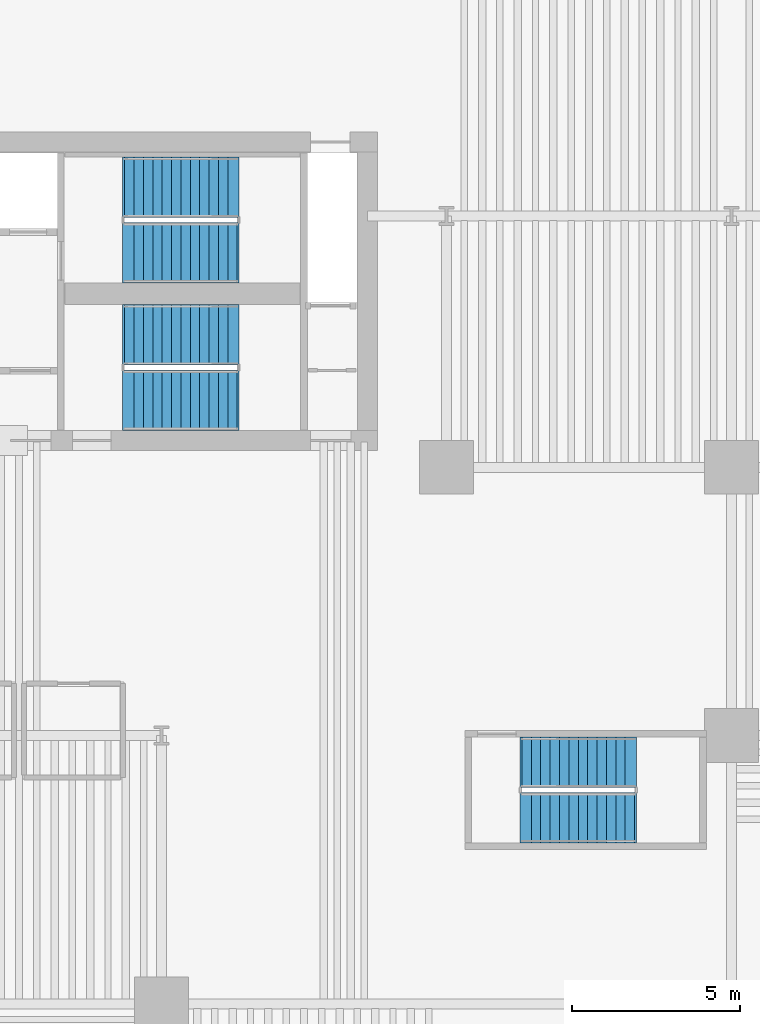
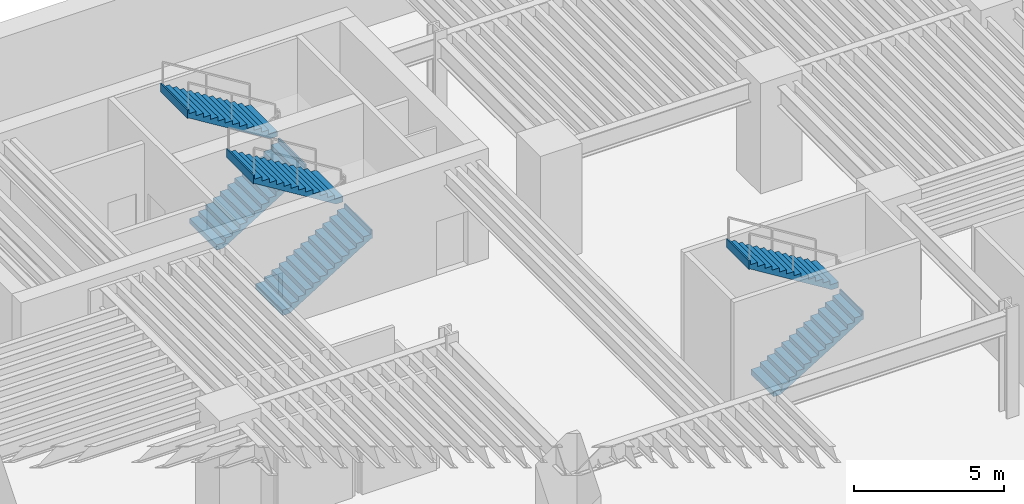
# One storey, part 5 of 9: 6 stair flights, 3 elements without a shape of their own.
"""IFC4 building model written with IfcOpenShell, lengths in metres."""

from ifc_helpers import new_model, si_unit, direction, frame, origin, place, context, subcontext, project, spatial, polyline, outline, extrude, material, type_object, element, aggregate, save


model = new_model("IFC4")

# Units and contexts
model_context = context("Model", 3, precision=1e-05, world=origin(), true_north=direction((0.0, 1.0)))
body_context = subcontext(model_context, "Body", "Model", "MODEL_VIEW")
ifc_project = project(units=[si_unit("LENGTHUNIT", "METRE"), si_unit("AREAUNIT", "SQUARE_METRE"), si_unit("VOLUMEUNIT", "CUBIC_METRE"), si_unit("PLANEANGLEUNIT", "RADIAN"), si_unit("MASSUNIT", "GRAM", prefix="KILO")], contexts=[model_context])

# Site, building, storey
site_placement = place(None, origin())
site = spatial("IfcSite", under=ifc_project, at=site_placement, CompositionType="ELEMENT")
building_placement = place(site_placement, origin())
building = spatial("IfcBuilding", under=site, at=building_placement, Name="Caeloran Harvest Quay", CompositionType="ELEMENT")
storey_placement = place(building_placement, frame((0.0, 0.0, -9.0)))
storey = spatial("IfcBuildingStorey", under=building, at=storey_placement, Name="B02", CompositionType="ELEMENT", Elevation=-9.0)

# Stair, stair flights
ifc_material = material(Name="Concrete C50/60", Category="concrete")
stair_type_1 = type_object("IfcStairType", Name="STAIR-STC-180", PredefinedType="HALF_TURN_STAIR", material=ifc_material)
stair_1_placement = place(storey_placement, origin())
stair_1 = element("IfcStair", 1, at=stair_1_placement, inside=storey, type_object=stair_type_1, Name="B02 Core Pressurized Exit Stair ST-C1", PredefinedType="HALF_TURN_STAIR")
stair_flight_type_1 = type_object("IfcStairFlightType", Name="FLIGHT-STC-180", PredefinedType="STRAIGHT", material=ifc_material)
stair_flight_1_placement = place(storey_placement, frame((15.89990234375, 37.39990234375, 0.0), z_axis=(0.0, 0.0, 1.0), x_axis=(1.0, 0.0, 0.0)))
stair_flight_1 = element("IfcStairFlight", 2, at=stair_flight_1_placement, type_object=stair_flight_type_1, Name="ST-C1 flight 1", NumberOfRisers=13, NumberOfTreads=12, PredefinedType="STRAIGHT", RiserHeight=0.173076923, TreadLength=0.28, context=body_context, shape_type="SweptSolid", body=[
    extrude(outline(polyline([(-0.054931640625, -0.044921875), (-0.054931640625, -0.03125), (-0.054931640625, -0.017822265625), (-0.054931640625, -0.004150390625), (-0.054931640625, 0.009521484375), (-0.054931640625, 0.023193359375), (-0.054931640625, 0.036865234375), (-0.054931640625, 0.05029296875), (-0.054931640625, 0.06396484375), (-0.054931640625, 0.07763671875), (-0.054931640625, 0.09130859375), (-0.054931640625, 0.10498046875), (-0.054931640625, 0.11865234375), (-0.054931640625, 0.132080078125), (-0.054931640625, 0.145751953125), (-0.054931640625, 0.159423828125), (-0.054931640625, 0.173095703125), (0.280029296875, 0.173095703125), (0.280029296875, 0.34619140625), (0.56005859375, 0.34619140625), (0.56005859375, 0.519287109375), (0.840087890625, 0.519287109375), (0.840087890625, 0.6923828125), (1.1201171875, 0.6923828125), (1.1201171875, 0.865478515625), (1.39990234375, 0.865478515625), (1.39990234375, 1.03857421875), (1.679931640625, 1.03857421875), (1.679931640625, 1.21142578125), (1.9599609375, 1.21142578125), (1.9599609375, 1.384521484375), (2.239990234375, 1.384521484375), (2.239990234375, 1.5576171875), (2.52001953125, 1.5576171875), (2.52001953125, 1.730712890625), (2.800048828125, 1.730712890625), (2.800048828125, 1.90380859375), (3.080078125, 1.90380859375), (3.080078125, 2.076904296875), (3.360107421875, 2.076904296875), (3.360107421875, 2.25), (3.4150390625, 2.25), (3.4150390625, 2.228271484375), (3.4150390625, 2.206298828125), (3.4150390625, 2.1845703125), (3.4150390625, 2.16259765625), (3.4150390625, 2.140869140625), (3.4150390625, 2.118896484375), (3.4150390625, 2.09716796875), (3.4150390625, 2.075439453125), (3.4150390625, 2.053466796875), (3.4150390625, 2.03173828125), (3.4150390625, 2.009765625), (3.4150390625, 1.988037109375), (3.4150390625, 1.96630859375), (3.4150390625, 1.9443359375), (3.4150390625, 1.922607421875), (3.4150390625, 1.900634765625), (3.360107421875, 1.900634765625), (0.21240234375, -0.044921875), (-0.054931640625, -0.044921875)])), frame((0.0, 0.89990234375, 0.0), z_axis=(0.0, -1.0, 0.0), x_axis=(1.0, 0.0, 0.0)), (0.0, 0.0, 1.0), 1.800048828125),
])
stair_flight_2_placement = place(storey_placement, frame((19.260009765625, 39.35009765625, 2.25), z_axis=(0.0, 0.0, 1.0), x_axis=(-1.0, 0.0, 0.0)))
stair_flight_2 = element("IfcStairFlight", 3, at=stair_flight_2_placement, type_object=stair_flight_type_1, Name="ST-C1 flight 2", NumberOfRisers=13, NumberOfTreads=12, PredefinedType="STRAIGHT", RiserHeight=0.173076923, TreadLength=0.28, context=body_context, shape_type="SweptSolid", body=[
    extrude(outline(polyline([(-0.054931640625, -0.044921875), (-0.054931640625, -0.03125), (-0.054931640625, -0.017822265625), (-0.054931640625, -0.004150390625), (-0.054931640625, 0.009521484375), (-0.054931640625, 0.023193359375), (-0.054931640625, 0.036865234375), (-0.054931640625, 0.05029296875), (-0.054931640625, 0.06396484375), (-0.054931640625, 0.07763671875), (-0.054931640625, 0.09130859375), (-0.054931640625, 0.10498046875), (-0.054931640625, 0.11865234375), (-0.054931640625, 0.132080078125), (-0.054931640625, 0.145751953125), (-0.054931640625, 0.159423828125), (-0.054931640625, 0.173095703125), (0.280029296875, 0.173095703125), (0.280029296875, 0.34619140625), (0.56005859375, 0.34619140625), (0.56005859375, 0.519287109375), (0.840087890625, 0.519287109375), (0.840087890625, 0.6923828125), (1.1201171875, 0.6923828125), (1.1201171875, 0.865478515625), (1.39990234375, 0.865478515625), (1.39990234375, 1.03857421875), (1.679931640625, 1.03857421875), (1.679931640625, 1.21142578125), (1.9599609375, 1.21142578125), (1.9599609375, 1.384521484375), (2.239990234375, 1.384521484375), (2.239990234375, 1.5576171875), (2.52001953125, 1.5576171875), (2.52001953125, 1.730712890625), (2.800048828125, 1.730712890625), (2.800048828125, 1.90380859375), (3.080078125, 1.90380859375), (3.080078125, 2.076904296875), (3.360107421875, 2.076904296875), (3.360107421875, 2.25), (3.4150390625, 2.25), (3.4150390625, 2.228271484375), (3.4150390625, 2.206298828125), (3.4150390625, 2.1845703125), (3.4150390625, 2.16259765625), (3.4150390625, 2.140869140625), (3.4150390625, 2.118896484375), (3.4150390625, 2.09716796875), (3.4150390625, 2.075439453125), (3.4150390625, 2.053466796875), (3.4150390625, 2.03173828125), (3.4150390625, 2.009765625), (3.4150390625, 1.988037109375), (3.4150390625, 1.96630859375), (3.4150390625, 1.9443359375), (3.4150390625, 1.922607421875), (3.4150390625, 1.900634765625), (3.360107421875, 1.900634765625), (0.21240234375, -0.044921875), (-0.054931640625, -0.044921875)])), frame((0.0, 0.89990234375, 0.0), z_axis=(0.0, -1.0, 0.0), x_axis=(1.0, 0.0, 0.0)), (0.0, 0.0, 1.0), 1.800048828125),
])
aggregate(stair_1, [stair_flight_1, stair_flight_2])

stair_2_placement = place(storey_placement, origin())
stair_2 = element("IfcStair", 4, at=stair_2_placement, inside=storey, type_object=stair_type_1, Name="B02 Core Pressurized Exit Stair ST-C2", PredefinedType="HALF_TURN_STAIR")
stair_flight_3_placement = place(storey_placement, frame((15.89990234375, 33.0, 0.0), z_axis=(0.0, 0.0, 1.0), x_axis=(1.0, 0.0, 0.0)))
stair_flight_3 = element("IfcStairFlight", 5, at=stair_flight_3_placement, type_object=stair_flight_type_1, Name="ST-C2 flight 1", NumberOfRisers=13, NumberOfTreads=12, PredefinedType="STRAIGHT", RiserHeight=0.173076923, TreadLength=0.28, context=body_context, shape_type="SweptSolid", body=[
    extrude(outline(polyline([(-0.054931640625, -0.044921875), (-0.054931640625, -0.03125), (-0.054931640625, -0.017822265625), (-0.054931640625, -0.004150390625), (-0.054931640625, 0.009521484375), (-0.054931640625, 0.023193359375), (-0.054931640625, 0.036865234375), (-0.054931640625, 0.05029296875), (-0.054931640625, 0.06396484375), (-0.054931640625, 0.07763671875), (-0.054931640625, 0.09130859375), (-0.054931640625, 0.10498046875), (-0.054931640625, 0.11865234375), (-0.054931640625, 0.132080078125), (-0.054931640625, 0.145751953125), (-0.054931640625, 0.159423828125), (-0.054931640625, 0.173095703125), (0.280029296875, 0.173095703125), (0.280029296875, 0.34619140625), (0.56005859375, 0.34619140625), (0.56005859375, 0.519287109375), (0.840087890625, 0.519287109375), (0.840087890625, 0.6923828125), (1.1201171875, 0.6923828125), (1.1201171875, 0.865478515625), (1.39990234375, 0.865478515625), (1.39990234375, 1.03857421875), (1.679931640625, 1.03857421875), (1.679931640625, 1.21142578125), (1.9599609375, 1.21142578125), (1.9599609375, 1.384521484375), (2.239990234375, 1.384521484375), (2.239990234375, 1.5576171875), (2.52001953125, 1.5576171875), (2.52001953125, 1.730712890625), (2.800048828125, 1.730712890625), (2.800048828125, 1.90380859375), (3.080078125, 1.90380859375), (3.080078125, 2.076904296875), (3.360107421875, 2.076904296875), (3.360107421875, 2.25), (3.4150390625, 2.25), (3.4150390625, 2.228271484375), (3.4150390625, 2.206298828125), (3.4150390625, 2.1845703125), (3.4150390625, 2.16259765625), (3.4150390625, 2.140869140625), (3.4150390625, 2.118896484375), (3.4150390625, 2.09716796875), (3.4150390625, 2.075439453125), (3.4150390625, 2.053466796875), (3.4150390625, 2.03173828125), (3.4150390625, 2.009765625), (3.4150390625, 1.988037109375), (3.4150390625, 1.96630859375), (3.4150390625, 1.9443359375), (3.4150390625, 1.922607421875), (3.4150390625, 1.900634765625), (3.360107421875, 1.900634765625), (0.21240234375, -0.044921875), (-0.054931640625, -0.044921875)])), frame((0.0, 0.89990234375, 0.0), z_axis=(0.0, -1.0, 0.0), x_axis=(1.0, 0.0, 0.0)), (0.0, 0.0, 1.0), 1.800048828125),
])
stair_flight_4_placement = place(storey_placement, frame((19.260009765625, 34.949951171875, 2.25), z_axis=(0.0, 0.0, 1.0), x_axis=(-1.0, 0.0, 0.0)))
stair_flight_4 = element("IfcStairFlight", 6, at=stair_flight_4_placement, type_object=stair_flight_type_1, Name="ST-C2 flight 2", NumberOfRisers=13, NumberOfTreads=12, PredefinedType="STRAIGHT", RiserHeight=0.173076923, TreadLength=0.28, context=body_context, shape_type="SweptSolid", body=[
    extrude(outline(polyline([(-0.054931640625, -0.044921875), (-0.054931640625, -0.03125), (-0.054931640625, -0.017822265625), (-0.054931640625, -0.004150390625), (-0.054931640625, 0.009521484375), (-0.054931640625, 0.023193359375), (-0.054931640625, 0.036865234375), (-0.054931640625, 0.05029296875), (-0.054931640625, 0.06396484375), (-0.054931640625, 0.07763671875), (-0.054931640625, 0.09130859375), (-0.054931640625, 0.10498046875), (-0.054931640625, 0.11865234375), (-0.054931640625, 0.132080078125), (-0.054931640625, 0.145751953125), (-0.054931640625, 0.159423828125), (-0.054931640625, 0.173095703125), (0.280029296875, 0.173095703125), (0.280029296875, 0.34619140625), (0.56005859375, 0.34619140625), (0.56005859375, 0.519287109375), (0.840087890625, 0.519287109375), (0.840087890625, 0.6923828125), (1.1201171875, 0.6923828125), (1.1201171875, 0.865478515625), (1.39990234375, 0.865478515625), (1.39990234375, 1.03857421875), (1.679931640625, 1.03857421875), (1.679931640625, 1.21142578125), (1.9599609375, 1.21142578125), (1.9599609375, 1.384521484375), (2.239990234375, 1.384521484375), (2.239990234375, 1.5576171875), (2.52001953125, 1.5576171875), (2.52001953125, 1.730712890625), (2.800048828125, 1.730712890625), (2.800048828125, 1.90380859375), (3.080078125, 1.90380859375), (3.080078125, 2.076904296875), (3.360107421875, 2.076904296875), (3.360107421875, 2.25), (3.4150390625, 2.25), (3.4150390625, 2.228271484375), (3.4150390625, 2.206298828125), (3.4150390625, 2.1845703125), (3.4150390625, 2.16259765625), (3.4150390625, 2.140869140625), (3.4150390625, 2.118896484375), (3.4150390625, 2.09716796875), (3.4150390625, 2.075439453125), (3.4150390625, 2.053466796875), (3.4150390625, 2.03173828125), (3.4150390625, 2.009765625), (3.4150390625, 1.988037109375), (3.4150390625, 1.96630859375), (3.4150390625, 1.9443359375), (3.4150390625, 1.922607421875), (3.4150390625, 1.900634765625), (3.360107421875, 1.900634765625), (0.21240234375, -0.044921875), (-0.054931640625, -0.044921875)])), frame((0.0, 0.89990234375, 0.0), z_axis=(0.0, -1.0, 0.0), x_axis=(1.0, 0.0, 0.0)), (0.0, 0.0, 1.0), 1.800048828125),
])
aggregate(stair_2, [stair_flight_3, stair_flight_4])

stair_type_2 = type_object("IfcStairType", Name="STAIR-STW-150", PredefinedType="HALF_TURN_STAIR", material=ifc_material)
stair_3_placement = place(storey_placement, origin())
stair_3 = element("IfcStair", 7, at=stair_3_placement, inside=storey, type_object=stair_type_2, Name="B02 East Wing Protected Exit Stair ST-W1", PredefinedType="HALF_TURN_STAIR")
stair_flight_type_2 = type_object("IfcStairFlightType", Name="FLIGHT-STW-150", PredefinedType="STRAIGHT", material=ifc_material)
stair_flight_5_placement = place(storey_placement, frame((27.75, 20.550048828125, 0.0), z_axis=(0.0, 0.0, 1.0), x_axis=(1.0, 0.0, 0.0)))
stair_flight_5 = element("IfcStairFlight", 8, at=stair_flight_5_placement, type_object=stair_flight_type_2, Name="ST-W1 flight 1", NumberOfRisers=13, NumberOfTreads=12, PredefinedType="STRAIGHT", RiserHeight=0.173076923, TreadLength=0.28, context=body_context, shape_type="SweptSolid", body=[
    extrude(outline(polyline([(-0.054931640625, -0.044921875), (-0.054931640625, -0.03125), (-0.054931640625, -0.017822265625), (-0.054931640625, -0.004150390625), (-0.054931640625, 0.009521484375), (-0.054931640625, 0.023193359375), (-0.054931640625, 0.036865234375), (-0.054931640625, 0.05029296875), (-0.054931640625, 0.06396484375), (-0.054931640625, 0.07763671875), (-0.054931640625, 0.09130859375), (-0.054931640625, 0.10498046875), (-0.054931640625, 0.11865234375), (-0.054931640625, 0.132080078125), (-0.054931640625, 0.145751953125), (-0.054931640625, 0.159423828125), (-0.054931640625, 0.173095703125), (0.280029296875, 0.173095703125), (0.280029296875, 0.34619140625), (0.56005859375, 0.34619140625), (0.56005859375, 0.519287109375), (0.840087890625, 0.519287109375), (0.840087890625, 0.6923828125), (1.1201171875, 0.6923828125), (1.1201171875, 0.865478515625), (1.39990234375, 0.865478515625), (1.39990234375, 1.03857421875), (1.679931640625, 1.03857421875), (1.679931640625, 1.21142578125), (1.9599609375, 1.21142578125), (1.9599609375, 1.384521484375), (2.239990234375, 1.384521484375), (2.239990234375, 1.5576171875), (2.52001953125, 1.5576171875), (2.52001953125, 1.730712890625), (2.800048828125, 1.730712890625), (2.800048828125, 1.90380859375), (3.080078125, 1.90380859375), (3.080078125, 2.076904296875), (3.360107421875, 2.076904296875), (3.360107421875, 2.25), (3.4150390625, 2.25), (3.4150390625, 2.228271484375), (3.4150390625, 2.206298828125), (3.4150390625, 2.1845703125), (3.4150390625, 2.16259765625), (3.4150390625, 2.140869140625), (3.4150390625, 2.118896484375), (3.4150390625, 2.09716796875), (3.4150390625, 2.075439453125), (3.4150390625, 2.053466796875), (3.4150390625, 2.03173828125), (3.4150390625, 2.009765625), (3.4150390625, 1.988037109375), (3.4150390625, 1.96630859375), (3.4150390625, 1.9443359375), (3.4150390625, 1.922607421875), (3.4150390625, 1.900634765625), (3.360107421875, 1.900634765625), (0.21240234375, -0.044921875), (-0.054931640625, -0.044921875)])), frame((0.0, 0.75, 0.0), z_axis=(0.0, -1.0, 0.0), x_axis=(1.0, 0.0, 0.0)), (0.0, 0.0, 1.0), 1.5),
])
stair_flight_6_placement = place(storey_placement, frame((31.110107421875, 22.199951171875, 2.25), z_axis=(0.0, 0.0, 1.0), x_axis=(-1.0, 0.0, 0.0)))
stair_flight_6 = element("IfcStairFlight", 9, at=stair_flight_6_placement, type_object=stair_flight_type_2, Name="ST-W1 flight 2", NumberOfRisers=13, NumberOfTreads=12, PredefinedType="STRAIGHT", RiserHeight=0.173076923, TreadLength=0.28, context=body_context, shape_type="SweptSolid", body=[
    extrude(outline(polyline([(-0.054931640625, -0.044921875), (-0.054931640625, -0.03125), (-0.054931640625, -0.017822265625), (-0.054931640625, -0.004150390625), (-0.054931640625, 0.009521484375), (-0.054931640625, 0.023193359375), (-0.054931640625, 0.036865234375), (-0.054931640625, 0.05029296875), (-0.054931640625, 0.06396484375), (-0.054931640625, 0.07763671875), (-0.054931640625, 0.09130859375), (-0.054931640625, 0.10498046875), (-0.054931640625, 0.11865234375), (-0.054931640625, 0.132080078125), (-0.054931640625, 0.145751953125), (-0.054931640625, 0.159423828125), (-0.054931640625, 0.173095703125), (0.280029296875, 0.173095703125), (0.280029296875, 0.34619140625), (0.56005859375, 0.34619140625), (0.56005859375, 0.519287109375), (0.840087890625, 0.519287109375), (0.840087890625, 0.6923828125), (1.1201171875, 0.6923828125), (1.1201171875, 0.865478515625), (1.39990234375, 0.865478515625), (1.39990234375, 1.03857421875), (1.679931640625, 1.03857421875), (1.679931640625, 1.21142578125), (1.9599609375, 1.21142578125), (1.9599609375, 1.384521484375), (2.239990234375, 1.384521484375), (2.239990234375, 1.5576171875), (2.52001953125, 1.5576171875), (2.52001953125, 1.730712890625), (2.800048828125, 1.730712890625), (2.800048828125, 1.90380859375), (3.080078125, 1.90380859375), (3.080078125, 2.076904296875), (3.360107421875, 2.076904296875), (3.360107421875, 2.25), (3.4150390625, 2.25), (3.4150390625, 2.228271484375), (3.4150390625, 2.206298828125), (3.4150390625, 2.1845703125), (3.4150390625, 2.16259765625), (3.4150390625, 2.140869140625), (3.4150390625, 2.118896484375), (3.4150390625, 2.09716796875), (3.4150390625, 2.075439453125), (3.4150390625, 2.053466796875), (3.4150390625, 2.03173828125), (3.4150390625, 2.009765625), (3.4150390625, 1.988037109375), (3.4150390625, 1.96630859375), (3.4150390625, 1.9443359375), (3.4150390625, 1.922607421875), (3.4150390625, 1.900634765625), (3.360107421875, 1.900634765625), (0.21240234375, -0.044921875), (-0.054931640625, -0.044921875)])), frame((0.0, 0.75, 0.0), z_axis=(0.0, -1.0, 0.0), x_axis=(1.0, 0.0, 0.0)), (0.0, 0.0, 1.0), 1.5),
])
aggregate(stair_3, [stair_flight_5, stair_flight_6])

save(model, "model.ifc")
